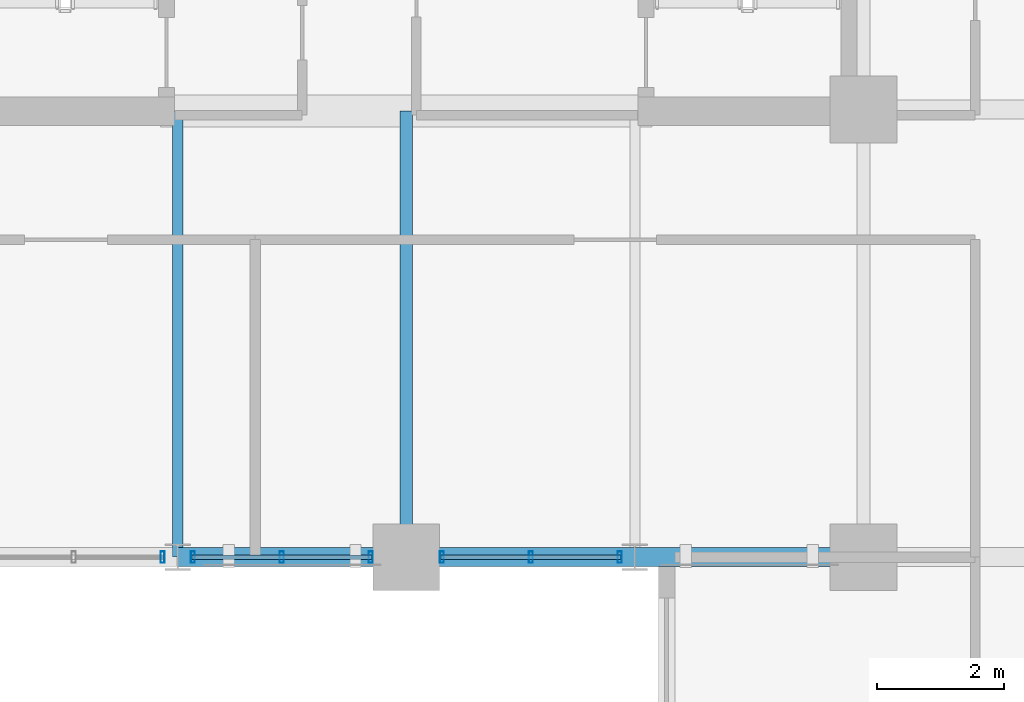
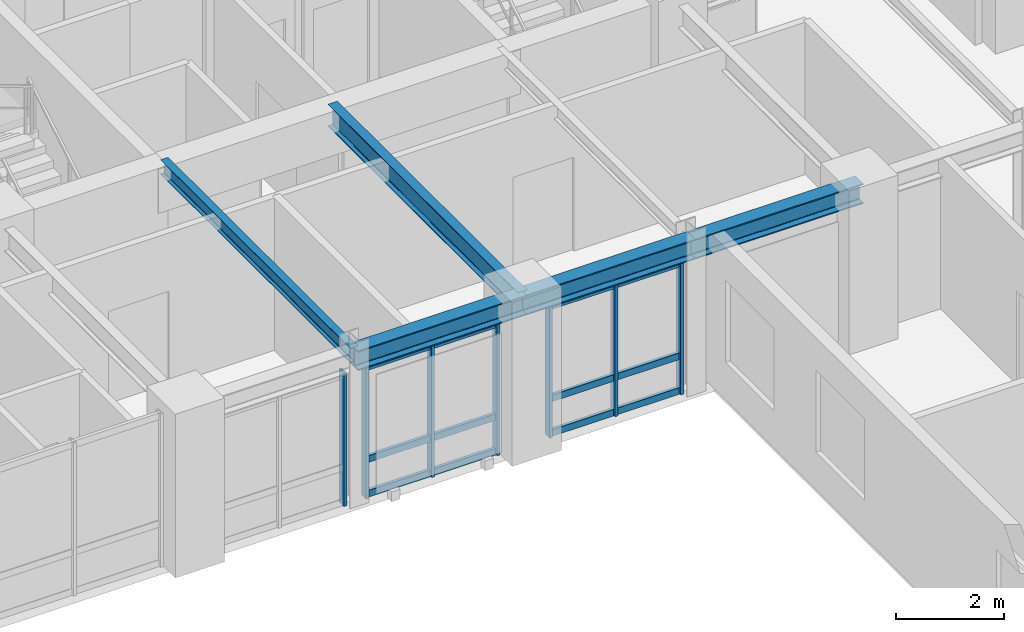
# One storey, part 6 of 17: 13 members, 5 beams, 3 elements without a shape of their own.
"""IFC4 building model written with IfcOpenShell, lengths in metres."""

import ifcopenshell
import ifcopenshell.guid

model = None  # the IFC model being written
_history = None  # IfcOwnerHistory: only IFC2X3 demands one
_inside = {}  # id of a spatial element -> (the spatial element, [elements in it])
_under = {}  # id of a project, library or spatial element -> (it, [spatial elements below it])
_declared = {}  # id of a project -> (the project, [libraries it declares])
_typed = {}  # id of a type object -> (the type object, [elements of that type])
_made_of = {}  # id of a material, layer set ... -> (it, [elements and type objects made of it])


def new_model(schema):
    """Start an empty IFC model of exactly this schema.

    Asked for "IFC4X3", IfcOpenShell would pick the latest addendum, in which some entities
    have other attributes; the version numbers below select the first issue.
    IFC2X3 requires an IfcOwnerHistory on every rooted entity: one is made here for all.
    """
    global model, _history
    if schema == "IFC4X3":
        model = ifcopenshell.file(schema_version=(4, 3, 0, 0))
    else:
        model = ifcopenshell.file(schema=schema)
    _inside.clear()
    _under.clear()
    _declared.clear()
    _typed.clear()
    _made_of.clear()
    _history = None
    if model.schema == "IFC2X3":
        org = make("IfcOrganization", Name="unknown")
        user = make(
            "IfcPersonAndOrganization",
            ThePerson=make("IfcPerson", FamilyName="unknown"),
            TheOrganization=org,
        )
        app = make(
            "IfcApplication",
            ApplicationDeveloper=org,
            Version="unknown",
            ApplicationFullName="unknown",
            ApplicationIdentifier="unknown",
        )
        _history = make(
            "IfcOwnerHistory",
            OwningUser=user,
            OwningApplication=app,
            ChangeAction="ADDED",
            CreationDate=0,
        )
    return model


def make(cls, **values):
    """One entity of the class cls with the attributes given. An attribute that is None is left unset."""
    return model.create_entity(
        cls, **{name: value for name, value in values.items() if value is not None}
    )


def rooted(cls, **values):
    """An entity with a GlobalId (a new one), such as an element, a storey or a relation."""
    return make(cls, GlobalId=ifcopenshell.guid.new(), OwnerHistory=_history, **values)


def si_unit(unit_type, name, prefix=None):
    """IfcSIUnit, for example si_unit("LENGTHUNIT", "METRE", prefix="MILLI")."""
    return make("IfcSIUnit", UnitType=unit_type, Prefix=prefix, Name=name)


def assignment(units):
    """IfcUnitAssignment: the units of a project."""
    return None if units is None else make("IfcUnitAssignment", Units=units)


def point(xyz):
    """IfcCartesianPoint."""
    return None if xyz is None else make("IfcCartesianPoint", Coordinates=xyz)


def direction(xyz):
    """IfcDirection."""
    return None if xyz is None else make("IfcDirection", DirectionRatios=xyz)


def frame(location, z_axis=None, x_axis=None):
    """IfcAxis2Placement3D, a coordinate frame: its origin and axes. An axis left out is left unset."""
    return make(
        "IfcAxis2Placement3D",
        Location=point(location),
        Axis=direction(z_axis),
        RefDirection=direction(x_axis),
    )


def frame_2d(location, x_axis=None):
    """IfcAxis2Placement2D, a coordinate frame in the plane: its origin and x axis."""
    return make(
        "IfcAxis2Placement2D", Location=point(location), RefDirection=direction(x_axis)
    )


def origin():
    """The frame at (0, 0, 0) with its axes left unset."""
    return frame((0.0, 0.0, 0.0))


def origin_2d():
    """The frame at (0, 0) in the plane with its x axis left unset."""
    return frame_2d((0.0, 0.0))


def place(relative_to, where):
    """IfcLocalPlacement: puts the frame where relative to a parent placement (None: the world)."""
    return make(
        "IfcLocalPlacement", PlacementRelTo=relative_to, RelativePlacement=where
    )


def context(
    kind, dimensions, precision=None, world=None, true_north=None, identifier=None
):
    """IfcGeometricRepresentationContext, for example the 3D "Model" context."""
    return make(
        "IfcGeometricRepresentationContext",
        ContextIdentifier=identifier,
        ContextType=kind,
        CoordinateSpaceDimension=dimensions,
        Precision=precision,
        WorldCoordinateSystem=world,
        TrueNorth=true_north,
    )


def subcontext(parent, identifier, kind, view, scale=None):
    """IfcGeometricRepresentationSubContext, for example "Body" below "Model"."""
    return make(
        "IfcGeometricRepresentationSubContext",
        ContextIdentifier=identifier,
        ContextType=kind,
        ParentContext=parent,
        TargetScale=scale,
        TargetView=view,
    )


def project(units=None, contexts=None):
    """IfcProject with its units and contexts."""
    return rooted(
        "IfcProject",
        Name="project",
        RepresentationContexts=contexts,
        UnitsInContext=assignment(units),
    )


def spatial(cls, under=None, at=None, **own):
    """A site, building, storey or space (cls), placed at a placement, below another one or the project."""
    s = rooted(cls, ObjectPlacement=at, **own)
    if under is not None:
        _under.setdefault(under.id(), (under, []))[1].append(s)
    return s


def profile(cls, at=None, kind="AREA", **sizes):
    """A parametric profile (cls). Its sizes go by their IFC names, for example OverallWidth=200.0."""
    return make(cls, ProfileType=kind, Position=at, **sizes)


def hollow_rectangle(**sizes):
    """IfcRectangleHollowProfileDef."""
    return profile("IfcRectangleHollowProfileDef", **sizes)


def i_section(**sizes):
    """IfcIShapeProfileDef."""
    return profile("IfcIShapeProfileDef", **sizes)


def extrude(swept, where, along, depth):
    """IfcExtrudedAreaSolid: the profile swept, set in the frame where, extruded along a direction by depth."""
    return make(
        "IfcExtrudedAreaSolid",
        SweptArea=swept,
        Position=where,
        ExtrudedDirection=direction(along),
        Depth=depth,
    )


def shape(context_of_items, identifier, shape_type, items):
    """IfcShapeRepresentation: the items that make up one representation, for example the "Body"."""
    return make(
        "IfcShapeRepresentation",
        ContextOfItems=context_of_items,
        RepresentationIdentifier=identifier,
        RepresentationType=shape_type,
        Items=items,
    )


def source(mapping_origin, context_of_items, identifier, shape_type, items):
    """IfcRepresentationMap: a shape defined once, which mapped items show again and again."""
    return make(
        "IfcRepresentationMap",
        MappingOrigin=mapping_origin,
        MappedRepresentation=shape(context_of_items, identifier, shape_type, items),
    )


def transform(
    local_origin,
    x_axis=None,
    y_axis=None,
    z_axis=None,
    scale=None,
    scale2=None,
    scale3=None,
    uniform=True,
):
    """IfcCartesianTransformationOperator3D, or its non-uniform kind. x_axis, y_axis, z_axis: its Axis1, 2, 3."""
    if uniform:
        return make(
            "IfcCartesianTransformationOperator3D",
            Axis1=direction(x_axis),
            Axis2=direction(y_axis),
            LocalOrigin=point(local_origin),
            Scale=scale,
            Axis3=direction(z_axis),
        )
    return make(
        "IfcCartesianTransformationOperator3DnonUniform",
        Axis1=direction(x_axis),
        Axis2=direction(y_axis),
        LocalOrigin=point(local_origin),
        Scale=scale,
        Axis3=direction(z_axis),
        Scale2=scale2,
        Scale3=scale3,
    )


def mapped(mapping_source, mapping_target):
    """IfcMappedItem: shows the shape of a source again, moved by a transform."""
    return make(
        "IfcMappedItem", MappingSource=mapping_source, MappingTarget=mapping_target
    )


def material(Name=None, Category=None):
    """IfcMaterial."""
    return make("IfcMaterial", Name=Name, Category=Category)


def layer(
    of_material, thickness, ventilated=None, Name=None, Category=None, Priority=None
):
    """IfcMaterialLayer: one layer of a wall or slab, of a material (None: an air gap)."""
    return make(
        "IfcMaterialLayer",
        Material=of_material,
        LayerThickness=thickness,
        IsVentilated=ventilated,
        Name=Name,
        Category=Category,
        Priority=Priority,
    )


def layer_set(layers, Name=None):
    """IfcMaterialLayerSet."""
    return make("IfcMaterialLayerSet", MaterialLayers=layers, LayerSetName=Name)


def material_profile(
    of_material, cross_section, Name=None, Category=None, Priority=None
):
    """IfcMaterialProfile: a cross section and its material."""
    return make(
        "IfcMaterialProfile",
        Name=Name,
        Material=of_material,
        Profile=cross_section,
        Priority=Priority,
        Category=Category,
    )


def profile_set(profiles, Name=None, composite=None):
    """IfcMaterialProfileSet."""
    return make(
        "IfcMaterialProfileSet",
        Name=Name,
        MaterialProfiles=profiles,
        CompositeProfile=composite,
    )


def made_of(thing, what):
    """Note that an element or type object is made of a material, layer set ...; save() writes the relation."""
    if what is not None:
        _made_of.setdefault(what.id(), (what, []))[1].append(thing)
    return thing


def type_object(cls, material=None, **own):
    """A type object (cls), such as IfcWallType, which elements share."""
    return made_of(rooted(cls, **own), material)


def element(
    cls,
    number,
    at=None,
    inside=None,
    cuts=None,
    type_object=None,
    material=None,
    context=None,
    identifier="Body",
    shape_type=None,
    held_by="IfcProductDefinitionShape",
    body=None,
    shapes=None,
    **own,
):
    """One element of the class cls, such as IfcWall. Its Tag is "e" and its number.

    at: its placement. inside: the storey or other place that contains it. cuts: it is an
    opening in that element (IfcRelVoidsElement). A single representation is given by context,
    identifier, shape_type and body (its items); several are given by shapes. held_by: the class
    of the entity that holds the representations. save() writes the other relations.
    """
    e = rooted(cls, Tag="e%d" % number, ObjectPlacement=at, **own)
    if body is not None:
        shapes = [shape(context, identifier, shape_type, body)]
    if shapes is not None:
        e.Representation = make(held_by, Representations=shapes)
    if inside is not None:
        _inside.setdefault(inside.id(), (inside, []))[1].append(e)
    if cuts is not None:
        rooted(
            "IfcRelVoidsElement", RelatingBuildingElement=cuts, RelatedOpeningElement=e
        )
    if type_object is not None:
        _typed.setdefault(type_object.id(), (type_object, []))[1].append(e)
    return made_of(e, material)


def aggregate(whole, parts):
    """IfcRelAggregates: a whole, such as a stair, and the parts it consists of."""
    return rooted("IfcRelAggregates", RelatingObject=whole, RelatedObjects=parts)


def save(model, path):
    """Write the relations noted so far, then the file.

    IfcRelAggregates (storeys below a building ...), IfcRelContainedInSpatialStructure (elements
    in a storey), IfcRelDefinesByType, IfcRelAssociatesMaterial and IfcRelDeclares: one each for
    every whole, place, type object, material and project.
    """
    for whole, parts in _under.values():
        aggregate(whole, parts)
    for where, things in _inside.values():
        rooted(
            "IfcRelContainedInSpatialStructure",
            RelatedElements=things,
            RelatingStructure=where,
        )
    for kind, things in _typed.values():
        rooted("IfcRelDefinesByType", RelatedObjects=things, RelatingType=kind)
    for what, things in _made_of.values():
        rooted("IfcRelAssociatesMaterial", RelatedObjects=things, RelatingMaterial=what)
    for by, libraries in _declared.values():
        rooted("IfcRelDeclares", RelatingContext=by, RelatedDefinitions=libraries)
    model.write(path)


model = new_model("IFC4")

# Units and contexts
model_context = context("Model", 3, precision=1e-05, world=origin(), true_north=direction((0.0, 1.0)))
body_context = subcontext(model_context, "Body", "Model", "MODEL_VIEW")
ifc_project = project(units=[si_unit("LENGTHUNIT", "METRE"), si_unit("AREAUNIT", "SQUARE_METRE"), si_unit("VOLUMEUNIT", "CUBIC_METRE"), si_unit("PLANEANGLEUNIT", "RADIAN"), si_unit("MASSUNIT", "GRAM", prefix="KILO")], contexts=[model_context])

# Site, building, storey
site_placement = place(None, origin())
site = spatial("IfcSite", under=ifc_project, at=site_placement, CompositionType="ELEMENT")
building_placement = place(site_placement, origin())
building = spatial("IfcBuilding", under=site, at=building_placement, Name="Kaliganga Portal Commons", CompositionType="ELEMENT")
storey_placement = place(building_placement, frame((0.0, 0.0, 143.89990234375)))
storey = spatial("IfcBuildingStorey", under=building, at=storey_placement, Name="L36", CompositionType="ELEMENT", Elevation=143.89990234375)

# Beams
ifc_material_1 = material(Name="Structural steel S355J2", Category="steel")
ifc_material_profile_1 = material_profile(ifc_material_1, i_section(OverallWidth=0.300048828125, OverallDepth=0.449951171875, WebThickness=0.013916015625, FlangeThickness=0.02587890625, FilletRadius=0.027099609375, at=origin_2d()), Name="HE 450 B")
ifc_profile_set_1 = profile_set([ifc_material_profile_1], Name="Structural steel S355J2 wide-flange")
beam_type_1 = type_object("IfcBeamType", Name="BM-SPAND-450", PredefinedType="SPANDREL", material=ifc_profile_set_1)
shared_shape_1 = source(origin(), body_context, "Body", "SweptSolid", [
    extrude(i_section(OverallWidth=0.300048828125, OverallDepth=0.449951171875, WebThickness=0.013916015625, FlangeThickness=0.02587890625, FilletRadius=0.027099609375, at=origin_2d()), origin(), (0.0, 0.0, 1.0), 3.60009765625),
])
for number, where, z_axis, x_axis, name in (
    (1, (18.0, 21.60009765625, 3.235107421875), (1.0, 0.0, 0.0), (0.0, 1.0, 0.0), "BM SP L36 AS 2"),
    (2, (25.199951171875, 21.60009765625, 3.235107421875), (1.0, 0.0, 0.0), (0.0, 1.0, 0.0), "BM SP L36 AS 4"),
):
    element("IfcBeam", number, at=place(storey_placement, frame(where, z_axis=z_axis, x_axis=x_axis)), inside=storey, type_object=beam_type_1, Name=name, PredefinedType="SPANDREL", context=body_context, shape_type="MappedRepresentation", body=[
        mapped(shared_shape_1, transform((0.0, 0.0, 0.0), x_axis=(1.0, 0.0, 0.0), y_axis=(0.0, 1.0, 0.0), z_axis=(0.0, 0.0, 1.0), scale=1.0)),
    ])
shared_shape_2 = source(origin(), body_context, "Body", "SweptSolid", [
    extrude(i_section(OverallWidth=0.300048828125, OverallDepth=0.449951171875, WebThickness=0.013916015625, FlangeThickness=0.02587890625, FilletRadius=0.027099609375, at=origin_2d()), origin(), (0.0, 0.0, 1.0), 3.599853515625),
])
beam_1_placement = place(storey_placement, frame((21.60009765625, 21.60009765625, 3.235107421875), z_axis=(1.0, 0.0, 0.0), x_axis=(0.0, 1.0, 0.0)))
element("IfcBeam", 3, at=beam_1_placement, inside=storey, type_object=beam_type_1, Name="BM SP L36 AS 3", PredefinedType="SPANDREL", context=body_context, shape_type="MappedRepresentation", body=[
    mapped(shared_shape_2, transform((0.0, 0.0, 0.0), x_axis=(1.0, 0.0, 0.0), y_axis=(0.0, 1.0, 0.0), z_axis=(0.0, 0.0, 1.0), scale=1.0)),
])
ifc_material_profile_2 = material_profile(ifc_material_1, i_section(OverallWidth=0.159912109375, OverallDepth=0.330078125, WebThickness=0.007568359375, FlangeThickness=0.011474609375, FilletRadius=0.01806640625, at=origin_2d()), Name="IPE 330")
ifc_profile_set_2 = profile_set([ifc_material_profile_2], Name="Structural steel S355J2 wide-flange")
beam_type_2 = type_object("IfcBeamType", Name="BM-JST-330", PredefinedType="JOIST", material=ifc_profile_set_2)
shared_shape_3 = source(origin(), body_context, "Body", "SweptSolid", [
    extrude(i_section(OverallWidth=0.159912109375, OverallDepth=0.330078125, WebThickness=0.007568359375, FlangeThickness=0.011474609375, FilletRadius=0.01806640625, at=origin_2d()), origin(), (0.0, 0.0, 1.0), 7.02490234375),
])
beam_2_placement = place(storey_placement, frame((18.0, 21.60009765625, 3.295166015625), z_axis=(0.0, 1.0, 0.0), x_axis=(-1.0, 0.0, 0.0)))
element("IfcBeam", 4, at=beam_2_placement, inside=storey, type_object=beam_type_2, Name="BM G L36 AS180", PredefinedType="JOIST", context=body_context, shape_type="MappedRepresentation", body=[
    mapped(shared_shape_3, transform((0.0, 0.0, 0.0), x_axis=(1.0, 0.0, 0.0), y_axis=(0.0, 1.0, 0.0), z_axis=(0.0, 0.0, 1.0), scale=1.0)),
])
ifc_material_profile_3 = material_profile(ifc_material_1, i_section(OverallWidth=0.199951171875, OverallDepth=0.5, WebThickness=0.01025390625, FlangeThickness=0.01611328125, FilletRadius=0.02099609375, at=origin_2d()), Name="IPE 500")
ifc_profile_set_3 = profile_set([ifc_material_profile_3], Name="Structural steel S355J2 wide-flange")
beam_type_3 = type_object("IfcBeamType", Name="BM-FLR-500", PredefinedType="BEAM", material=ifc_profile_set_3)
shared_shape_4 = source(origin(), body_context, "Body", "SweptSolid", [
    extrude(i_section(OverallWidth=0.199951171875, OverallDepth=0.5, WebThickness=0.01025390625, FlangeThickness=0.01611328125, FilletRadius=0.02099609375, at=origin_2d()), origin(), (0.0, 0.0, 1.0), 7.02490234375),
])
beam_3_placement = place(storey_placement, frame((21.60009765625, 21.60009765625, 3.210205078125), z_axis=(0.0, 1.0, 0.0), x_axis=(-1.0, 0.0, 0.0)))
element("IfcBeam", 5, at=beam_3_placement, inside=storey, type_object=beam_type_3, Name="BM G L36 AS216", PredefinedType="BEAM", context=body_context, shape_type="MappedRepresentation", body=[
    mapped(shared_shape_4, transform((0.0, 0.0, 0.0), x_axis=(1.0, 0.0, 0.0), y_axis=(0.0, 1.0, 0.0), z_axis=(0.0, 0.0, 1.0), scale=1.0)),
])

# Curtain wall, member
ifc_material_2 = material(Name="Anodized Aluminium and Laminated Low-E Glass", Category="aluminium")
ifc_layer = layer(ifc_material_2, 0.2099609375)
ifc_layer_set = layer_set([ifc_layer], Name="Anodized Aluminium and Laminated Low-E Glass")
curtain_wall_type = type_object("IfcCurtainWallType", Name="CW-SYS-03", PredefinedType="NOTDEFINED", material=ifc_layer_set)
curtain_wall_1_placement = place(storey_placement, origin())
curtain_wall_1 = element("IfcCurtainWall", 6, at=curtain_wall_1_placement, inside=storey, type_object=curtain_wall_type, Name="CW 03 L36 P1E04S2", PredefinedType="NOTDEFINED")
ifc_material_3 = material(Name="Dark Bronze Anodized Aluminium", Category="aluminium")
ifc_material_profile_4 = material_profile(ifc_material_3, hollow_rectangle(XDim=0.06494140625, YDim=0.179931640625, WallThickness=0.00390625, at=origin_2d()), Name="ALU MULL 65x180x4")
ifc_profile_set_4 = profile_set([ifc_material_profile_4], Name="Dark Bronze Anodized Aluminium")
member_type_1 = type_object("IfcMemberType", Name="CW-MUL-180", PredefinedType="MULLION", material=ifc_profile_set_4)
shared_shape_5 = source(origin(), body_context, "Body", "SweptSolid", [
    extrude(hollow_rectangle(XDim=0.06494140625, YDim=0.179931640625, WallThickness=0.00390625, at=origin_2d()), origin(), (0.0, 0.0, 1.0), 3.010009765625),
])
member_1_placement = place(storey_placement, frame((17.761962890625, 21.60009765625, 0.0), z_axis=(0.0, 0.0, 1.0), x_axis=(1.0, 0.0, 0.0)))
member_1 = element("IfcMember", 7, at=member_1_placement, type_object=member_type_1, Name="CW:03:L36:P1E04S2 Mullion 02", PredefinedType="MULLION", context=body_context, shape_type="MappedRepresentation", body=[
    mapped(shared_shape_5, transform((0.0, 0.0, 0.0), x_axis=(1.0, 0.0, 0.0), y_axis=(0.0, 1.0, 0.0), z_axis=(0.0, 0.0, 1.0), scale=1.0)),
])
aggregate(curtain_wall_1, [member_1])

# Curtain wall, members
curtain_wall_2_placement = place(storey_placement, origin())
curtain_wall_2 = element("IfcCurtainWall", 8, at=curtain_wall_2_placement, inside=storey, type_object=curtain_wall_type, Name="CW 03 L36 P1E04S3", PredefinedType="NOTDEFINED")
member_2_placement = place(storey_placement, frame((18.238037109375, 21.60009765625, 0.0), z_axis=(0.0, 0.0, 1.0), x_axis=(1.0, 0.0, 0.0)))
member_2 = element("IfcMember", 9, at=member_2_placement, type_object=member_type_1, Name="CW:03:L36:P1E04S3 Mullion 00", PredefinedType="MULLION", context=body_context, shape_type="MappedRepresentation", body=[
    mapped(shared_shape_5, transform((0.0, 0.0, 0.0), x_axis=(1.0, 0.0, 0.0), y_axis=(0.0, 1.0, 0.0), z_axis=(0.0, 0.0, 1.0), scale=1.0)),
])
member_3_placement = place(storey_placement, frame((19.638427734375, 21.60009765625, 0.0), z_axis=(0.0, 0.0, 1.0), x_axis=(1.0, 0.0, 0.0)))
member_3 = element("IfcMember", 10, at=member_3_placement, type_object=member_type_1, Name="CW:03:L36:P1E04S3 Mullion 01", PredefinedType="MULLION", context=body_context, shape_type="MappedRepresentation", body=[
    mapped(shared_shape_5, transform((0.0, 0.0, 0.0), x_axis=(1.0, 0.0, 0.0), y_axis=(0.0, 1.0, 0.0), z_axis=(0.0, 0.0, 1.0), scale=1.0)),
])
member_4_placement = place(storey_placement, frame((21.0390625, 21.60009765625, 0.0), z_axis=(0.0, 0.0, 1.0), x_axis=(1.0, 0.0, 0.0)))
member_4 = element("IfcMember", 11, at=member_4_placement, type_object=member_type_1, Name="CW:03:L36:P1E04S3 Mullion 02", PredefinedType="MULLION", context=body_context, shape_type="MappedRepresentation", body=[
    mapped(shared_shape_5, transform((0.0, 0.0, 0.0), x_axis=(1.0, 0.0, 0.0), y_axis=(0.0, 1.0, 0.0), z_axis=(0.0, 0.0, 1.0), scale=1.0)),
])

curtain_wall_3_placement = place(storey_placement, origin())
curtain_wall_3 = element("IfcCurtainWall", 12, at=curtain_wall_3_placement, inside=storey, type_object=curtain_wall_type, Name="CW 03 L36 P1E04S4", PredefinedType="NOTDEFINED")
member_5_placement = place(storey_placement, frame((22.160888671875, 21.60009765625, 0.0), z_axis=(0.0, 0.0, 1.0), x_axis=(1.0, 0.0, 0.0)))
member_5 = element("IfcMember", 13, at=member_5_placement, type_object=member_type_1, Name="CW:03:L36:P1E04S4 Mullion 00", PredefinedType="MULLION", context=body_context, shape_type="MappedRepresentation", body=[
    mapped(shared_shape_5, transform((0.0, 0.0, 0.0), x_axis=(1.0, 0.0, 0.0), y_axis=(0.0, 1.0, 0.0), z_axis=(0.0, 0.0, 1.0), scale=1.0)),
])
member_6_placement = place(storey_placement, frame((23.5615234375, 21.60009765625, 0.0), z_axis=(0.0, 0.0, 1.0), x_axis=(1.0, 0.0, 0.0)))
member_6 = element("IfcMember", 14, at=member_6_placement, type_object=member_type_1, Name="CW:03:L36:P1E04S4 Mullion 01", PredefinedType="MULLION", context=body_context, shape_type="MappedRepresentation", body=[
    mapped(shared_shape_5, transform((0.0, 0.0, 0.0), x_axis=(1.0, 0.0, 0.0), y_axis=(0.0, 1.0, 0.0), z_axis=(0.0, 0.0, 1.0), scale=1.0)),
])
member_7_placement = place(storey_placement, frame((24.9619140625, 21.60009765625, 0.0), z_axis=(0.0, 0.0, 1.0), x_axis=(1.0, 0.0, 0.0)))
member_7 = element("IfcMember", 15, at=member_7_placement, type_object=member_type_1, Name="CW:03:L36:P1E04S4 Mullion 02", PredefinedType="MULLION", context=body_context, shape_type="MappedRepresentation", body=[
    mapped(shared_shape_5, transform((0.0, 0.0, 0.0), x_axis=(1.0, 0.0, 0.0), y_axis=(0.0, 1.0, 0.0), z_axis=(0.0, 0.0, 1.0), scale=1.0)),
])

# Member
ifc_material_profile_5 = material_profile(ifc_material_3, hollow_rectangle(XDim=0.070068359375, YDim=0.14990234375, WallThickness=0.00341796875, at=origin_2d()), Name="ALU TRAN 70x150x3.5")
ifc_profile_set_5 = profile_set([ifc_material_profile_5], Name="Dark Bronze Anodized Aluminium")
member_type_2 = type_object("IfcMemberType", Name="CW-TRN-150", PredefinedType="USERDEFINED", material=ifc_profile_set_5)
shared_shape_6 = source(origin(), body_context, "Body", "SweptSolid", [
    extrude(hollow_rectangle(XDim=0.070068359375, YDim=0.14990234375, WallThickness=0.00341796875, at=origin_2d()), origin(), (0.0, 0.0, 1.0), 2.8310546875),
])
member_8_placement = place(storey_placement, frame((18.222900390625, 21.60009765625, 0.06005859375), z_axis=(1.0, 0.0, 0.0), x_axis=(0.0, 1.0, 0.0)))
member_8 = element("IfcMember", 16, at=member_8_placement, type_object=member_type_2, Name="CW:03:L36:P1E04S3 Transom 1", ObjectType="TRANSOM", PredefinedType="USERDEFINED", context=body_context, shape_type="MappedRepresentation", body=[
    mapped(shared_shape_6, transform((0.0, 0.0, 0.0), x_axis=(1.0, 0.0, 0.0), y_axis=(0.0, 1.0, 0.0), z_axis=(0.0, 0.0, 1.0), scale=1.0)),
])

member_9_placement = place(storey_placement, frame((18.222900390625, 21.60009765625, 0.843017578125), z_axis=(1.0, 0.0, 0.0), x_axis=(0.0, 1.0, 0.0)))
member_9 = element("IfcMember", 17, at=member_9_placement, type_object=member_type_2, Name="CW:03:L36:P1E04S3 Transom 2", ObjectType="TRANSOM", PredefinedType="USERDEFINED", context=body_context, shape_type="MappedRepresentation", body=[
    mapped(shared_shape_6, transform((0.0, 0.0, 0.0), x_axis=(1.0, 0.0, 0.0), y_axis=(0.0, 1.0, 0.0), z_axis=(0.0, 0.0, 1.0), scale=1.0)),
])

member_10_placement = place(storey_placement, frame((18.222900390625, 21.60009765625, 2.93017578125), z_axis=(1.0, 0.0, 0.0), x_axis=(0.0, 1.0, 0.0)))
member_10 = element("IfcMember", 18, at=member_10_placement, type_object=member_type_2, Name="CW:03:L36:P1E04S3 Transom 3", ObjectType="TRANSOM", PredefinedType="USERDEFINED", context=body_context, shape_type="MappedRepresentation", body=[
    mapped(shared_shape_6, transform((0.0, 0.0, 0.0), x_axis=(1.0, 0.0, 0.0), y_axis=(0.0, 1.0, 0.0), z_axis=(0.0, 0.0, 1.0), scale=1.0)),
])

aggregate(curtain_wall_2, [member_2, member_3, member_4, member_8, member_9, member_10])

member_11_placement = place(storey_placement, frame((22.14599609375, 21.60009765625, 0.06005859375), z_axis=(1.0, 0.0, 0.0), x_axis=(0.0, 1.0, 0.0)))
member_11 = element("IfcMember", 19, at=member_11_placement, type_object=member_type_2, Name="CW:03:L36:P1E04S4 Transom 1", ObjectType="TRANSOM", PredefinedType="USERDEFINED", context=body_context, shape_type="MappedRepresentation", body=[
    mapped(shared_shape_6, transform((0.0, 0.0, 0.0), x_axis=(1.0, 0.0, 0.0), y_axis=(0.0, 1.0, 0.0), z_axis=(0.0, 0.0, 1.0), scale=1.0)),
])

member_12_placement = place(storey_placement, frame((22.14599609375, 21.60009765625, 0.843017578125), z_axis=(1.0, 0.0, 0.0), x_axis=(0.0, 1.0, 0.0)))
member_12 = element("IfcMember", 20, at=member_12_placement, type_object=member_type_2, Name="CW:03:L36:P1E04S4 Transom 2", ObjectType="TRANSOM", PredefinedType="USERDEFINED", context=body_context, shape_type="MappedRepresentation", body=[
    mapped(shared_shape_6, transform((0.0, 0.0, 0.0), x_axis=(1.0, 0.0, 0.0), y_axis=(0.0, 1.0, 0.0), z_axis=(0.0, 0.0, 1.0), scale=1.0)),
])

member_13_placement = place(storey_placement, frame((22.14599609375, 21.60009765625, 2.93017578125), z_axis=(1.0, 0.0, 0.0), x_axis=(0.0, 1.0, 0.0)))
member_13 = element("IfcMember", 21, at=member_13_placement, type_object=member_type_2, Name="CW:03:L36:P1E04S4 Transom 3", ObjectType="TRANSOM", PredefinedType="USERDEFINED", context=body_context, shape_type="MappedRepresentation", body=[
    mapped(shared_shape_6, transform((0.0, 0.0, 0.0), x_axis=(1.0, 0.0, 0.0), y_axis=(0.0, 1.0, 0.0), z_axis=(0.0, 0.0, 1.0), scale=1.0)),
])

aggregate(curtain_wall_3, [member_5, member_6, member_7, member_11, member_12, member_13])

save(model, "model.ifc")
